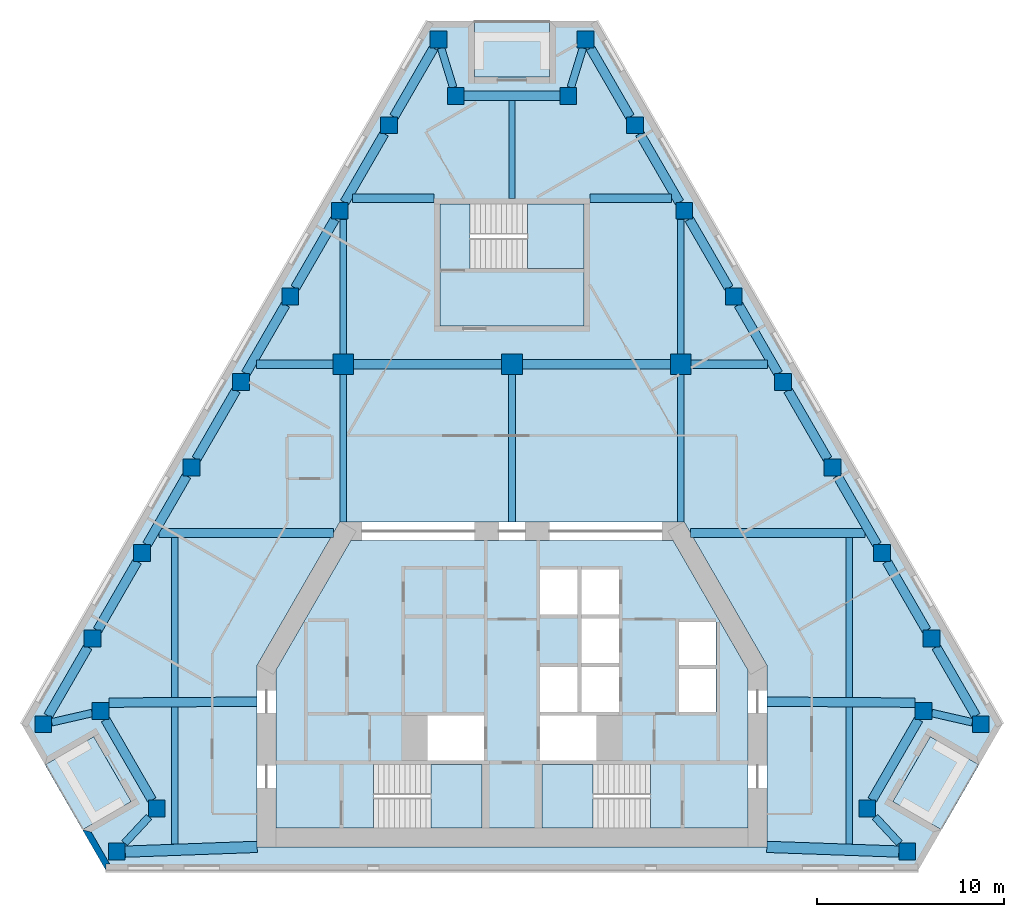
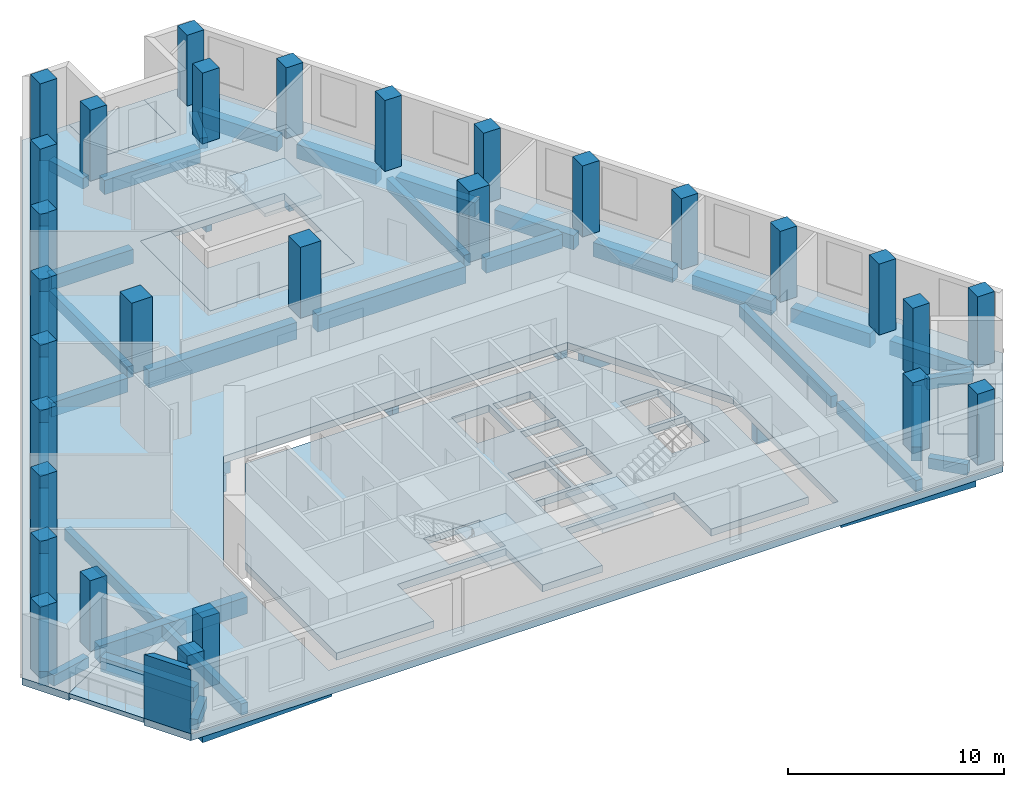
# One storey, part 1 of 7: 47 beams, 29 columns, 9 slabs, 1 wall, 3 elements without a shape of their own.
"""IFC4 building model written with IfcOpenShell, lengths in metres."""

from ifc_helpers import new_model, si_unit, direction, frame, origin, origin_2d, place, context, subcontext, project, spatial, polyline, rectangle, outline, extrude, material, layer, layer_set, material_profile, profile_set, type_object, element, aggregate, save


model = new_model("IFC4")

# Units and contexts
model_context = context("Model", 3, precision=1e-05, world=origin(), true_north=direction((0.0, 1.0)))
body_context = subcontext(model_context, "Body", "Model", "MODEL_VIEW")
ifc_project = project(units=[si_unit("LENGTHUNIT", "METRE"), si_unit("AREAUNIT", "SQUARE_METRE"), si_unit("VOLUMEUNIT", "CUBIC_METRE"), si_unit("PLANEANGLEUNIT", "RADIAN"), si_unit("MASSUNIT", "GRAM", prefix="KILO")], contexts=[model_context])

# Site, building, storey
site_placement = place(None, origin())
site = spatial("IfcSite", under=ifc_project, at=site_placement, CompositionType="ELEMENT")
building_placement = place(site_placement, origin())
building = spatial("IfcBuilding", under=site, at=building_placement, Name="Fogline Exchange Tower", CompositionType="ELEMENT")
storey_placement = place(building_placement, frame((0.0, 0.0, 255.5)))
storey = spatial("IfcBuildingStorey", under=building, at=storey_placement, Name="L58", CompositionType="ELEMENT", Elevation=255.5)

# Columns
ifc_material_1 = material(Name="Concrete C60", Category="concrete")
ifc_material_profile_1 = material_profile(ifc_material_1, rectangle(XDim=1.10009765625, YDim=1.10009765625, at=origin_2d()), Name="RC 1100x1100")
ifc_profile_set_1 = profile_set([ifc_material_profile_1], Name="Concrete C60")
column_type_1 = type_object("IfcColumnType", Name="C05", PredefinedType="COLUMN", material=ifc_profile_set_1)
for number, where, z_axis, x_axis, name in (
    (1, (-9.0, 27.0, 0.0), (0.0, 0.0, 1.0), (1.0, 0.0, 0.0), "IC--9-27"),
    (2, (0.0, 27.0, 0.0), (0.0, 0.0, 1.0), (1.0, 0.0, 0.0), "IC-0-27"),
    (3, (9.0, 27.0, 0.0), (0.0, 0.0, 1.0), (1.0, 0.0, 0.0), "IC-9-27"),
):
    element("IfcColumn", number, at=place(storey_placement, frame(where, z_axis=z_axis, x_axis=x_axis)), inside=storey, type_object=column_type_1, Name=name, PredefinedType="COLUMN", context=body_context, shape_type="SweptSolid", body=[
        extrude(rectangle(XDim=1.10009765625, YDim=1.10009765625, at=origin_2d()), origin(), (0.0, 0.0, 1.0), 4.0),
    ])
ifc_material_profile_2 = material_profile(ifc_material_1, rectangle(XDim=0.89990234375, YDim=0.89990234375, at=origin_2d()), Name="RC 900x900")
ifc_profile_set_2 = profile_set([ifc_material_profile_2], Name="Concrete C60")
column_type_2 = type_object("IfcColumnType", Name="C06", PredefinedType="COLUMN", material=ifc_profile_set_2)
for number, where, z_axis, x_axis, name in (
    (4, (-25.0146484375, 7.794189453125, 0.0), (0.0, 0.0, 1.0), (1.0, 0.0, 0.0), "SW-a"),
    (5, (-21.955322265625, 8.4951171875, 0.0), (0.0, 0.0, 1.0), (1.0, 0.0, 0.0), "SW-p4"),
    (6, (-18.955322265625, 3.299072265625, 0.0), (0.0, 0.0, 1.0), (1.0, 0.0, 0.0), "SW-p3"),
    (7, (-21.092041015625, 1.0, 0.0), (0.0, 0.0, 1.0), (1.0, 0.0, 0.0), "SW-b"),
    (8, (21.092041015625, 1.0, 0.0), (0.0, 0.0, 1.0), (1.0, 0.0, 0.0), "SE-a"),
    (9, (18.955322265625, 3.299072265625, 0.0), (0.0, 0.0, 1.0), (1.0, 0.0, 0.0), "SE-p4"),
    (10, (21.955322265625, 8.4951171875, 0.0), (0.0, 0.0, 1.0), (1.0, 0.0, 0.0), "SE-p3"),
    (11, (25.0146484375, 7.794189453125, 0.0), (0.0, 0.0, 1.0), (1.0, 0.0, 0.0), "SE-b"),
    (12, (22.378173828125, 12.36083984375, 0.0), (0.0, 0.0, 1.0), (1.0, 0.0, 0.0), "E1"),
    (13, (19.74169921875, 16.92724609375, 0.0), (0.0, 0.0, 1.0), (1.0, 0.0, 0.0), "E2"),
    (14, (17.105224609375, 21.493896484375, 0.0), (0.0, 0.0, 1.0), (1.0, 0.0, 0.0), "E3"),
    (15, (14.46875, 26.060302734375, 0.0), (0.0, 0.0, 1.0), (1.0, 0.0, 0.0), "E4"),
    (16, (11.832275390625, 30.626953125, 0.0), (0.0, 0.0, 1.0), (1.0, 0.0, 0.0), "E5"),
    (17, (9.19580078125, 35.193603515625, 0.0), (0.0, 0.0, 1.0), (1.0, 0.0, 0.0), "E6"),
    (18, (6.55908203125, 39.760009765625, 0.0), (0.0, 0.0, 1.0), (1.0, 0.0, 0.0), "E7"),
    (19, (3.922607421875, 44.32666015625, 0.0), (0.0, 0.0, 1.0), (1.0, 0.0, 0.0), "N-a"),
    (20, (3.0, 41.32666015625, 0.0), (0.0, 0.0, 1.0), (1.0, 0.0, 0.0), "N-p4"),
    (21, (-3.0, 41.32666015625, 0.0), (0.0, 0.0, 1.0), (1.0, 0.0, 0.0), "N-p3"),
    (22, (-3.922607421875, 44.32666015625, 0.0), (0.0, 0.0, 1.0), (1.0, 0.0, 0.0), "N-b"),
    (23, (-6.55908203125, 39.760009765625, 0.0), (0.0, 0.0, 1.0), (1.0, 0.0, 0.0), "W1"),
    (24, (-9.19580078125, 35.193603515625, 0.0), (0.0, 0.0, 1.0), (1.0, 0.0, 0.0), "W2"),
    (25, (-11.832275390625, 30.626953125, 0.0), (0.0, 0.0, 1.0), (1.0, 0.0, 0.0), "W3"),
    (26, (-14.46875, 26.060302734375, 0.0), (0.0, 0.0, 1.0), (1.0, 0.0, 0.0), "W4"),
    (27, (-17.105224609375, 21.493896484375, 0.0), (0.0, 0.0, 1.0), (1.0, 0.0, 0.0), "W5"),
    (28, (-19.74169921875, 16.92724609375, 0.0), (0.0, 0.0, 1.0), (1.0, 0.0, 0.0), "W6"),
    (29, (-22.378173828125, 12.36083984375, 0.0), (0.0, 0.0, 1.0), (1.0, 0.0, 0.0), "W7"),
):
    element("IfcColumn", number, at=place(storey_placement, frame(where, z_axis=z_axis, x_axis=x_axis)), inside=storey, type_object=column_type_2, Name=name, PredefinedType="COLUMN", context=body_context, shape_type="SweptSolid", body=[
        extrude(rectangle(XDim=0.89990234375, YDim=0.89990234375, at=origin_2d()), origin(), (0.0, 0.0, 1.0), 4.0),
    ])

# Beams
ifc_material_2 = material(Name="Concrete C40", Category="concrete")
ifc_material_profile_3 = material_profile(ifc_material_2, rectangle(XDim=0.300048828125, YDim=0.60009765625, at=origin_2d()), Name="RC 300x600")
ifc_profile_set_3 = profile_set([ifc_material_profile_3], Name="Concrete C40")
beam_type_1 = type_object("IfcBeamType", Name="B06", PredefinedType="BEAM", material=ifc_profile_set_3)
beam_1_placement = place(storey_placement, frame((0.0, 35.85693359375, -0.699951171875), z_axis=(0.0, 1.0, 0.0), x_axis=(-1.0, 0.0, 0.0)))
element("IfcBeam", 30, at=beam_1_placement, inside=storey, type_object=beam_type_1, Name="SB006", PredefinedType="BEAM", context=body_context, shape_type="SweptSolid", body=[
    extrude(rectangle(XDim=0.300048828125, YDim=0.60009765625, at=origin_2d()), origin(), (0.0, 0.0, 1.0), 5.2197265625),
])
ifc_material_profile_4 = material_profile(ifc_material_2, rectangle(XDim=0.60009765625, YDim=0.89990234375, at=origin_2d()), Name="RC 600x900")
ifc_profile_set_4 = profile_set([ifc_material_profile_4], Name="Concrete C40")
beam_type_2 = type_object("IfcBeamType", Name="B09", PredefinedType="BEAM", material=ifc_profile_set_4)
beam_2_placement = place(storey_placement, frame((-20.64208984375, 0.99462890625, -0.85009765625), z_axis=(0.999343107492, 0.036240219472, 0.0), x_axis=(-0.036240219472, 0.999343107492, 0.0)))
element("IfcBeam", 31, at=beam_2_placement, inside=storey, type_object=beam_type_2, Name="RB004", PredefinedType="BEAM", context=body_context, shape_type="SweptSolid", body=[
    extrude(rectangle(XDim=0.60009765625, YDim=0.89990234375, at=origin_2d()), origin(), (0.0, 0.0, 1.0), 7.046630859375),
])
beam_3_placement = place(storey_placement, frame((13.60009765625, 1.25, -0.85009765625), z_axis=(0.99937042328, -0.035478966629, 0.0), x_axis=(0.035478966629, 0.99937042328, 0.0)))
element("IfcBeam", 32, at=beam_3_placement, inside=storey, type_object=beam_type_2, Name="RB005", PredefinedType="BEAM", context=body_context, shape_type="SweptSolid", body=[
    extrude(rectangle(XDim=0.60009765625, YDim=0.89990234375, at=origin_2d()), origin(), (0.0, 0.0, 1.0), 7.04638671875),
])
ifc_material_profile_5 = material_profile(ifc_material_2, rectangle(XDim=0.5, YDim=0.800048828125, at=origin_2d()), Name="RC 500x800")
ifc_profile_set_5 = profile_set([ifc_material_profile_5], Name="Concrete C40")
beam_type_3 = type_object("IfcBeamType", Name="B10", PredefinedType="BEAM", material=ifc_profile_set_5)
for number, where, z_axis, x_axis, name in (
    (33, (-21.6953125, 8.045166015625, -0.800048828125), (0.499976646485, -0.866038886523, 0.0), (0.866038886523, 0.499976646485, 0.0), "RB002"),
    (34, (19.215087890625, 3.7490234375, -0.800048828125), (0.499976646485, 0.866038886523, 0.0), (-0.866038886523, 0.499976646485, 0.0), "RB007"),
):
    element("IfcBeam", number, at=place(storey_placement, frame(where, z_axis=z_axis, x_axis=x_axis)), inside=storey, type_object=beam_type_3, Name=name, PredefinedType="BEAM", context=body_context, shape_type="SweptSolid", body=[
        extrude(rectangle(XDim=0.5, YDim=0.800048828125, at=origin_2d()), origin(), (0.0, 0.0, 1.0), 4.960693359375),
    ])
beam_4_placement = place(storey_placement, frame((24.7548828125, 8.244140625, -0.800048828125), z_axis=(-0.499990325971, 0.866030989016, 0.0), x_axis=(-0.866030989016, -0.499990325971, 0.0)))
element("IfcBeam", 35, at=beam_4_placement, inside=storey, type_object=beam_type_3, Name="RB009", PredefinedType="BEAM", context=body_context, shape_type="SweptSolid", body=[
    extrude(rectangle(XDim=0.5, YDim=0.800048828125, at=origin_2d()), origin(), (0.0, 0.0, 1.0), 4.23388671875),
])
beam_5_placement = place(storey_placement, frame((22.118408203125, 12.810791015625, -0.800048828125), z_axis=(-0.500015295222, 0.866016572904, 0.0), x_axis=(-0.866016572904, -0.500015295222, 0.0)))
element("IfcBeam", 36, at=beam_5_placement, inside=storey, type_object=beam_type_3, Name="RB010", PredefinedType="BEAM", context=body_context, shape_type="SweptSolid", body=[
    extrude(rectangle(XDim=0.5, YDim=0.800048828125, at=origin_2d()), origin(), (0.0, 0.0, 1.0), 4.233642578125),
])
beam_6_placement = place(storey_placement, frame((19.481689453125, 17.377197265625, -0.800048828125), z_axis=(-0.499947076772, 0.866055956868, 0.0), x_axis=(-0.866055956868, -0.499947076772, 0.0)))
element("IfcBeam", 37, at=beam_6_placement, inside=storey, type_object=beam_type_3, Name="RB011", PredefinedType="BEAM", context=body_context, shape_type="SweptSolid", body=[
    extrude(rectangle(XDim=0.5, YDim=0.800048828125, at=origin_2d()), origin(), (0.0, 0.0, 1.0), 4.23388671875),
])
for number, where, z_axis, x_axis, name in (
    (38, (16.84521484375, 21.94384765625, -0.800048828125), (-0.499972045304, 0.866041542834, 0.0), (-0.866041542834, -0.499972045304, 0.0), "RB012"),
    (39, (14.208740234375, 26.510498046875, -0.800048828125), (-0.499972045304, 0.866041542834, 0.0), (-0.866041542834, -0.499972045304, 0.0), "RB013"),
    (40, (11.572265625, 31.076904296875, -0.800048828125), (-0.499972045304, 0.866041542834, 0.0), (-0.866041542834, -0.499972045304, 0.0), "RB014"),
    (41, (8.935791015625, 35.6435546875, -0.800048828125), (-0.499972045304, 0.866041542834, 0.0), (-0.866041542834, -0.499972045304, 0.0), "RB015"),
    (42, (6.29931640625, 40.210205078125, -0.800048828125), (-0.499972045304, 0.866041542834, 0.0), (-0.866041542834, -0.499972045304, 0.0), "RB016"),
):
    element("IfcBeam", number, at=place(storey_placement, frame(where, z_axis=z_axis, x_axis=x_axis)), inside=storey, type_object=beam_type_3, Name=name, PredefinedType="BEAM", context=body_context, shape_type="SweptSolid", body=[
        extrude(rectangle(XDim=0.5, YDim=0.800048828125, at=origin_2d()), origin(), (0.0, 0.0, 1.0), 4.233642578125),
    ])
beam_7_placement = place(storey_placement, frame((2.550048828125, 41.32666015625, -0.800048828125), z_axis=(-1.0, 0.0, 0.0), x_axis=(0.0, -1.0, 0.0)))
element("IfcBeam", 43, at=beam_7_placement, inside=storey, type_object=beam_type_3, Name="RB018", PredefinedType="BEAM", context=body_context, shape_type="SweptSolid", body=[
    extrude(rectangle(XDim=0.5, YDim=0.800048828125, at=origin_2d()), origin(), (0.0, 0.0, 1.0), 5.10009765625),
])
for number, where, z_axis, x_axis, name in (
    (44, (-4.1826171875, 43.876708984375, -0.800048828125), (-0.499972045304, -0.866041542834, 0.0), (0.866041542834, -0.499972045304, 0.0), "RB020"),
    (45, (-6.819091796875, 39.31005859375, -0.800048828125), (-0.499972045304, -0.866041542834, 0.0), (0.866041542834, -0.499972045304, 0.0), "RB021"),
    (46, (-9.45556640625, 34.743408203125, -0.800048828125), (-0.499972045304, -0.866041542834, 0.0), (0.866041542834, -0.499972045304, 0.0), "RB022"),
    (47, (-12.092041015625, 30.177001953125, -0.800048828125), (-0.499972045304, -0.866041542834, 0.0), (0.866041542834, -0.499972045304, 0.0), "RB023"),
    (48, (-14.728515625, 25.6103515625, -0.800048828125), (-0.499972045304, -0.866041542834, 0.0), (0.866041542834, -0.499972045304, 0.0), "RB024"),
):
    element("IfcBeam", number, at=place(storey_placement, frame(where, z_axis=z_axis, x_axis=x_axis)), inside=storey, type_object=beam_type_3, Name=name, PredefinedType="BEAM", context=body_context, shape_type="SweptSolid", body=[
        extrude(rectangle(XDim=0.5, YDim=0.800048828125, at=origin_2d()), origin(), (0.0, 0.0, 1.0), 4.233642578125),
    ])
beam_8_placement = place(storey_placement, frame((-17.364990234375, 21.0439453125, -0.800048828125), z_axis=(-0.499947076772, -0.866055956868, 0.0), x_axis=(0.866055956868, -0.499947076772, 0.0)))
element("IfcBeam", 49, at=beam_8_placement, inside=storey, type_object=beam_type_3, Name="RB025", PredefinedType="BEAM", context=body_context, shape_type="SweptSolid", body=[
    extrude(rectangle(XDim=0.5, YDim=0.800048828125, at=origin_2d()), origin(), (0.0, 0.0, 1.0), 4.23388671875),
])
beam_9_placement = place(storey_placement, frame((-20.00146484375, 16.477294921875, -0.800048828125), z_axis=(-0.500015295222, -0.866016572904, 0.0), x_axis=(0.866016572904, -0.500015295222, 0.0)))
element("IfcBeam", 50, at=beam_9_placement, inside=storey, type_object=beam_type_3, Name="RB026", PredefinedType="BEAM", context=body_context, shape_type="SweptSolid", body=[
    extrude(rectangle(XDim=0.5, YDim=0.800048828125, at=origin_2d()), origin(), (0.0, 0.0, 1.0), 4.233642578125),
])
beam_10_placement = place(storey_placement, frame((-22.637939453125, 11.910888671875, -0.800048828125), z_axis=(-0.499990325971, -0.866030989016, 0.0), x_axis=(0.866030989016, -0.499990325971, 0.0)))
element("IfcBeam", 51, at=beam_10_placement, inside=storey, type_object=beam_type_3, Name="RB027", PredefinedType="BEAM", context=body_context, shape_type="SweptSolid", body=[
    extrude(rectangle(XDim=0.5, YDim=0.800048828125, at=origin_2d()), origin(), (0.0, 0.0, 1.0), 4.23388671875),
])
ifc_material_profile_6 = material_profile(ifc_material_2, rectangle(XDim=0.39990234375, YDim=0.60009765625, at=origin_2d()), Name="RC 400x600")
ifc_profile_set_6 = profile_set([ifc_material_profile_6], Name="Concrete C40")
beam_type_4 = type_object("IfcBeamType", Name="B11", PredefinedType="BEAM", material=ifc_profile_set_6)
beam_11_placement = place(storey_placement, frame((-24.564697265625, 7.897216796875, -0.699951171875), z_axis=(0.974731818643, 0.223378337636, 0.0), x_axis=(-0.223378337636, 0.974731818643, 0.0)))
element("IfcBeam", 52, at=beam_11_placement, inside=storey, type_object=beam_type_4, Name="RB001", PredefinedType="BEAM", context=body_context, shape_type="SweptSolid", body=[
    extrude(rectangle(XDim=0.39990234375, YDim=0.60009765625, at=origin_2d()), origin(), (0.0, 0.0, 1.0), 2.21533203125),
])
for number, where, z_axis, x_axis, name in (
    (53, (-19.37353515625, 2.84912109375, -0.699951171875), (-0.68075009804, -0.732515736362, 0.0), (0.732515736362, -0.68075009804, 0.0), "RB003"),
    (54, (20.673828125, 1.449951171875, -0.699951171875), (-0.68075009804, 0.732515736362, 0.0), (-0.732515736362, -0.68075009804, 0.0), "RB006"),
):
    element("IfcBeam", number, at=place(storey_placement, frame(where, z_axis=z_axis, x_axis=x_axis)), inside=storey, type_object=beam_type_4, Name=name, PredefinedType="BEAM", context=body_context, shape_type="SweptSolid", body=[
        extrude(rectangle(XDim=0.39990234375, YDim=0.60009765625, at=origin_2d()), origin(), (0.0, 0.0, 1.0), 1.91015625),
    ])
beam_12_placement = place(storey_placement, frame((22.4052734375, 8.39208984375, -0.699951171875), z_axis=(0.974731818643, -0.223378337636, 0.0), x_axis=(0.223378337636, 0.974731818643, 0.0)))
element("IfcBeam", 55, at=beam_12_placement, inside=storey, type_object=beam_type_4, Name="RB008", PredefinedType="BEAM", context=body_context, shape_type="SweptSolid", body=[
    extrude(rectangle(XDim=0.39990234375, YDim=0.60009765625, at=origin_2d()), origin(), (0.0, 0.0, 1.0), 2.21533203125),
])
for number, where, z_axis, x_axis, name in (
    (56, (3.7841796875, 43.876708984375, -0.699951171875), (-0.293906253456, -0.95583425037, 0.0), (0.95583425037, -0.293906253456, 0.0), "RB017"),
    (57, (-3.138427734375, 41.776611328125, -0.699951171875), (-0.293906253456, 0.95583425037, 0.0), (-0.95583425037, -0.293906253456, 0.0), "RB019"),
):
    element("IfcBeam", number, at=place(storey_placement, frame(where, z_axis=z_axis, x_axis=x_axis)), inside=storey, type_object=beam_type_4, Name=name, PredefinedType="BEAM", context=body_context, shape_type="SweptSolid", body=[
        extrude(rectangle(XDim=0.39990234375, YDim=0.60009765625, at=origin_2d()), origin(), (0.0, 0.0, 1.0), 2.197021484375),
    ])
ifc_material_profile_7 = material_profile(ifc_material_2, rectangle(XDim=0.5, YDim=0.949951171875, at=origin_2d()), Name="RC 500x950")
ifc_profile_set_7 = profile_set([ifc_material_profile_7], Name="Concrete C40")
beam_type_5 = type_object("IfcBeamType", Name="B14", PredefinedType="BEAM", material=ifc_profile_set_7)
for number, where, z_axis, x_axis, name in (
    (58, (-21.50537109375, 8.9453125, -0.875), (0.999976072531, 0.006917684998, 0.0), (-0.006917684998, 0.999976072531, 0.0), "GB001"),
    (59, (13.60009765625, 9.0, -0.875), (0.999976072531, -0.006917684998, 0.0), (0.006917684998, 0.999976072531, 0.0), "GB002"),
):
    element("IfcBeam", number, at=place(storey_placement, frame(where, z_axis=z_axis, x_axis=x_axis)), inside=storey, type_object=beam_type_5, Name=name, PredefinedType="BEAM", context=body_context, shape_type="SweptSolid", body=[
        extrude(rectangle(XDim=0.5, YDim=0.949951171875, at=origin_2d()), origin(), (0.0, 0.0, 1.0), 7.905517578125),
    ])
for number, where, z_axis, x_axis, name in (
    (60, (-18.833740234375, 18.0, -0.875), (1.0, 0.0, 0.0), (0.0, 1.0, 0.0), "GB003"),
    (61, (9.527099609375, 18.0, -0.875), (1.0, 0.0, 0.0), (0.0, 1.0, 0.0), "GB004"),
):
    element("IfcBeam", number, at=place(storey_placement, frame(where, z_axis=z_axis, x_axis=x_axis)), inside=storey, type_object=beam_type_5, Name=name, PredefinedType="BEAM", context=body_context, shape_type="SweptSolid", body=[
        extrude(rectangle(XDim=0.5, YDim=0.949951171875, at=origin_2d()), origin(), (0.0, 0.0, 1.0), 9.306640625),
    ])
for number, where, z_axis, x_axis, name in (
    (62, (-8.449951171875, 27.0, -0.875), (1.0, 0.0, 0.0), (0.0, 1.0, 0.0), "GB006"),
    (63, (0.550048828125, 27.0, -0.875), (1.0, 0.0, 0.0), (0.0, 1.0, 0.0), "GB007"),
):
    element("IfcBeam", number, at=place(storey_placement, frame(where, z_axis=z_axis, x_axis=x_axis)), inside=storey, type_object=beam_type_5, Name=name, PredefinedType="BEAM", context=body_context, shape_type="SweptSolid", body=[
        extrude(rectangle(XDim=0.5, YDim=0.949951171875, at=origin_2d()), origin(), (0.0, 0.0, 1.0), 7.89990234375),
    ])
ifc_material_profile_8 = material_profile(ifc_material_2, rectangle(XDim=0.35009765625, YDim=0.64990234375, at=origin_2d()), Name="RC 350x650")
ifc_profile_set_8 = profile_set([ifc_material_profile_8], Name="Concrete C40")
beam_type_6 = type_object("IfcBeamType", Name="B16", PredefinedType="BEAM", material=ifc_profile_set_8)
beam_13_placement = place(storey_placement, frame((-18.0, 1.390625, -0.72509765625), z_axis=(0.0, 1.0, 0.0), x_axis=(-1.0, 0.0, 0.0)))
element("IfcBeam", 64, at=beam_13_placement, inside=storey, type_object=beam_type_6, Name="SB001", PredefinedType="BEAM", context=body_context, shape_type="SweptSolid", body=[
    extrude(rectangle(XDim=0.35009765625, YDim=0.64990234375, at=origin_2d()), origin(), (0.0, 0.0, 1.0), 7.328857421875),
])
beam_14_placement = place(storey_placement, frame((-18.0, 9.219482421875, -0.72509765625), z_axis=(0.0, 1.0, 0.0), x_axis=(-1.0, 0.0, 0.0)))
element("IfcBeam", 65, at=beam_14_placement, inside=storey, type_object=beam_type_6, Name="SB002", PredefinedType="BEAM", context=body_context, shape_type="SweptSolid", body=[
    extrude(rectangle(XDim=0.35009765625, YDim=0.64990234375, at=origin_2d()), origin(), (0.0, 0.0, 1.0), 8.530517578125),
])
beam_15_placement = place(storey_placement, frame((-9.0, 18.60009765625, -0.72509765625), z_axis=(0.0, 1.0, 0.0), x_axis=(-1.0, 0.0, 0.0)))
element("IfcBeam", 66, at=beam_15_placement, inside=storey, type_object=beam_type_6, Name="SB003", PredefinedType="BEAM", context=body_context, shape_type="SweptSolid", body=[
    extrude(rectangle(XDim=0.35009765625, YDim=0.64990234375, at=origin_2d()), origin(), (0.0, 0.0, 1.0), 7.849853515625),
])
beam_16_placement = place(storey_placement, frame((-9.0, 27.550048828125, -0.72509765625), z_axis=(0.0, 1.0, 0.0), x_axis=(-1.0, 0.0, 0.0)))
element("IfcBeam", 67, at=beam_16_placement, inside=storey, type_object=beam_type_6, Name="SB004", PredefinedType="BEAM", context=body_context, shape_type="SweptSolid", body=[
    extrude(rectangle(XDim=0.35009765625, YDim=0.64990234375, at=origin_2d()), origin(), (0.0, 0.0, 1.0), 7.193359375),
])
for number, where, z_axis, x_axis, name in (
    (68, (0.0, 18.60009765625, -0.72509765625), (0.0, 1.0, 0.0), (-1.0, 0.0, 0.0), "SB005"),
    (69, (9.0, 18.60009765625, -0.72509765625), (0.0, 1.0, 0.0), (-1.0, 0.0, 0.0), "SB007"),
):
    element("IfcBeam", number, at=place(storey_placement, frame(where, z_axis=z_axis, x_axis=x_axis)), inside=storey, type_object=beam_type_6, Name=name, PredefinedType="BEAM", context=body_context, shape_type="SweptSolid", body=[
        extrude(rectangle(XDim=0.35009765625, YDim=0.64990234375, at=origin_2d()), origin(), (0.0, 0.0, 1.0), 7.849853515625),
    ])
beam_17_placement = place(storey_placement, frame((9.0, 27.550048828125, -0.72509765625), z_axis=(0.0, 1.0, 0.0), x_axis=(-1.0, 0.0, 0.0)))
element("IfcBeam", 70, at=beam_17_placement, inside=storey, type_object=beam_type_6, Name="SB008", PredefinedType="BEAM", context=body_context, shape_type="SweptSolid", body=[
    extrude(rectangle(XDim=0.35009765625, YDim=0.64990234375, at=origin_2d()), origin(), (0.0, 0.0, 1.0), 7.193359375),
])
beam_18_placement = place(storey_placement, frame((18.0, 1.39404296875, -0.72509765625), z_axis=(0.0, 1.0, 0.0), x_axis=(-1.0, 0.0, 0.0)))
element("IfcBeam", 71, at=beam_18_placement, inside=storey, type_object=beam_type_6, Name="SB009", PredefinedType="BEAM", context=body_context, shape_type="SweptSolid", body=[
    extrude(rectangle(XDim=0.35009765625, YDim=0.64990234375, at=origin_2d()), origin(), (0.0, 0.0, 1.0), 7.325439453125),
])
beam_19_placement = place(storey_placement, frame((18.0, 9.219482421875, -0.72509765625), z_axis=(0.0, 1.0, 0.0), x_axis=(-1.0, 0.0, 0.0)))
element("IfcBeam", 72, at=beam_19_placement, inside=storey, type_object=beam_type_6, Name="SB010", PredefinedType="BEAM", context=body_context, shape_type="SweptSolid", body=[
    extrude(rectangle(XDim=0.35009765625, YDim=0.64990234375, at=origin_2d()), origin(), (0.0, 0.0, 1.0), 8.530517578125),
])
ifc_material_profile_9 = material_profile(ifc_material_2, rectangle(XDim=0.449951171875, YDim=0.800048828125, at=origin_2d()), Name="RC 450x800")
ifc_profile_set_9 = profile_set([ifc_material_profile_9], Name="Concrete C40")
beam_type_7 = type_object("IfcBeamType", Name="B18", PredefinedType="BEAM", material=ifc_profile_set_9)
for number, where, z_axis, x_axis, name in (
    (73, (-13.637451171875, 27.0, -0.800048828125), (1.0, 0.0, 0.0), (0.0, 1.0, 0.0), "GB005"),
    (74, (9.550048828125, 27.0, -0.800048828125), (1.0, 0.0, 0.0), (0.0, 1.0, 0.0), "GB008"),
):
    element("IfcBeam", number, at=place(storey_placement, frame(where, z_axis=z_axis, x_axis=x_axis)), inside=storey, type_object=beam_type_7, Name=name, PredefinedType="BEAM", context=body_context, shape_type="SweptSolid", body=[
        extrude(rectangle(XDim=0.449951171875, YDim=0.800048828125, at=origin_2d()), origin(), (0.0, 0.0, 1.0), 4.08740234375),
    ])
for number, where, z_axis, x_axis, name in (
    (75, (-8.52392578125, 35.85693359375, -0.800048828125), (1.0, 0.0, 0.0), (0.0, 1.0, 0.0), "GB009"),
    (76, (4.14990234375, 35.85693359375, -0.800048828125), (1.0, 0.0, 0.0), (0.0, 1.0, 0.0), "GB010"),
):
    element("IfcBeam", number, at=place(storey_placement, frame(where, z_axis=z_axis, x_axis=x_axis)), inside=storey, type_object=beam_type_7, Name=name, PredefinedType="BEAM", context=body_context, shape_type="SweptSolid", body=[
        extrude(rectangle(XDim=0.449951171875, YDim=0.800048828125, at=origin_2d()), origin(), (0.0, 0.0, 1.0), 4.3740234375),
    ])

# Slabs
ifc_layer_1 = layer(ifc_material_2, 0.25)
ifc_layer_set_1 = layer_set([ifc_layer_1], Name="DK1")
slab_type_1 = type_object("IfcSlabType", Name="DK1", PredefinedType="FLOOR", material=ifc_layer_set_1)
slab_1_placement = place(storey_placement, frame((0.0, 0.0, -0.25)))
element("IfcSlab", 77, at=slab_1_placement, inside=storey, type_object=slab_type_1, Name="Balcony L58 SW", PredefinedType="FLOOR", context=body_context, shape_type="SweptSolid", body=[
    extrude(outline(polyline([(-24.91943359375, 5.629150390625), (-22.91943359375, 2.1650390625), (-20.3212890625, 3.6650390625), (-22.3212890625, 7.129150390625), (-24.91943359375, 5.629150390625)])), origin(), (0.0, 0.0, 1.0), 0.25),
])
slab_2_placement = place(storey_placement, frame((0.0, 0.0, -0.25)))
element("IfcSlab", 78, at=slab_2_placement, inside=storey, type_object=slab_type_1, Name="Balcony L58 SE", PredefinedType="FLOOR", context=body_context, shape_type="SweptSolid", body=[
    extrude(outline(polyline([(22.91943359375, 2.1650390625), (24.91943359375, 5.629150390625), (22.3212890625, 7.129150390625), (20.3212890625, 3.6650390625), (22.91943359375, 2.1650390625)])), origin(), (0.0, 0.0, 1.0), 0.25),
])
slab_3_placement = place(storey_placement, frame((0.0, 0.0, -0.25)))
element("IfcSlab", 79, at=slab_3_placement, inside=storey, type_object=slab_type_1, Name="Balcony L58 N", PredefinedType="FLOOR", context=body_context, shape_type="SweptSolid", body=[
    extrude(outline(polyline([(2.0, 45.32666015625), (-2.0, 45.32666015625), (-2.0, 42.32666015625), (2.0, 42.32666015625), (2.0, 45.32666015625)])), origin(), (0.0, 0.0, 1.0), 0.25),
])
ifc_layer_2 = layer(ifc_material_2, 0.39990234375)
ifc_layer_set_2 = layer_set([ifc_layer_2], Name="S03")
slab_type_2 = type_object("IfcSlabType", Name="S03", PredefinedType="FLOOR", material=ifc_layer_set_2)
slab_4_placement = place(storey_placement, frame((0.0, 0.0, -0.39990234375)))
element("IfcSlab", 80, at=slab_4_placement, inside=storey, type_object=slab_type_2, Name="SLAB L58", PredefinedType="FLOOR", context=body_context, shape_type="SweptSolid", body=[
    extrude(outline(polyline([(-2.0, 45.32666015625), (-4.5, 45.32666015625), (-26.16943359375, 7.794189453125), (-24.91943359375, 5.629150390625), (-22.3212890625, 7.129150390625), (-20.3212890625, 3.6650390625), (-22.91943359375, 2.1650390625), (-21.66943359375, 0.0), (21.66943359375, 0.0), (22.91943359375, 2.1650390625), (20.3212890625, 3.6650390625), (22.3212890625, 7.129150390625), (24.91943359375, 5.629150390625), (26.16943359375, 7.794189453125), (4.5, 45.32666015625), (2.0, 45.32666015625), (2.0, 42.32666015625), (-2.0, 42.32666015625), (-2.0, 45.32666015625)]), holes=[polyline([(13.60009765625, 10.9453125), (13.60009765625, 1.25), (-13.60009765625, 1.25), (-13.60009765625, 10.9453125), (-9.1806640625, 18.60009765625), (9.1806640625, 18.60009765625), (13.60009765625, 10.9453125)]), polyline([(3.85009765625, 35.556884765625), (3.85009765625, 29.056884765625), (-3.85009765625, 29.056884765625), (-3.85009765625, 35.556884765625), (3.85009765625, 35.556884765625)])]), origin(), (0.0, 0.0, 1.0), 0.39990234375),
])
slab_5_placement = place(storey_placement, frame((0.0, 0.0, -0.39990234375)))
element("IfcSlab", 81, at=slab_5_placement, inside=storey, type_object=slab_type_2, Name="Core floor slab", PredefinedType="FLOOR", context=body_context, shape_type="SweptSolid", body=[
    extrude(outline(polyline([(-12.60009765625, 2.25), (-12.60009765625, 10.677490234375), (-8.603271484375, 17.60009765625), (8.603271484375, 17.60009765625), (12.60009765625, 10.677490234375), (12.60009765625, 2.25), (7.389892578125, 2.25), (7.389892578125, 5.64990234375), (1.60009765625, 5.64990234375), (1.60009765625, 2.25), (-1.60009765625, 2.25), (-1.60009765625, 5.64990234375), (-7.389892578125, 5.64990234375), (-7.389892578125, 2.25), (-12.60009765625, 2.25)]), holes=[polyline([(-4.5, 8.25), (-4.5, 5.85009765625), (-1.5, 5.85009765625), (-1.5, 8.25), (-4.5, 8.25)]), polyline([(4.5, 8.25), (1.5, 8.25), (1.5, 5.85009765625), (4.5, 5.85009765625), (4.5, 8.25)]), polyline([(3.5, 10.85009765625), (1.5, 10.85009765625), (1.5, 8.449951171875), (3.5, 8.449951171875), (3.5, 10.85009765625)]), polyline([(1.5, 16.050048828125), (1.5, 13.64990234375), (3.5, 13.64990234375), (3.5, 16.050048828125), (1.5, 16.050048828125)]), polyline([(10.89990234375, 10.75), (8.89990234375, 10.75), (8.89990234375, 8.449951171875), (10.89990234375, 8.449951171875), (10.89990234375, 10.75)]), polyline([(5.699951171875, 10.85009765625), (3.699951171875, 10.85009765625), (3.699951171875, 8.449951171875), (5.699951171875, 8.449951171875), (5.699951171875, 10.85009765625)]), polyline([(8.89990234375, 13.25), (8.89990234375, 10.949951171875), (10.89990234375, 10.949951171875), (10.89990234375, 13.25), (8.89990234375, 13.25)]), polyline([(5.699951171875, 13.449951171875), (3.699951171875, 13.449951171875), (3.699951171875, 11.050048828125), (5.699951171875, 11.050048828125), (5.699951171875, 13.449951171875)]), polyline([(5.699951171875, 16.050048828125), (3.699951171875, 16.050048828125), (3.699951171875, 13.64990234375), (5.699951171875, 13.64990234375), (5.699951171875, 16.050048828125)])]), origin(), (0.0, 0.0, 1.0), 0.39990234375),
])
slab_6_placement = place(storey_placement, frame((0.0, 0.0, -0.39990234375)))
element("IfcSlab", 82, at=slab_6_placement, inside=storey, type_object=slab_type_2, Name="Stair enclosure floor slab", PredefinedType="FLOOR", context=body_context, shape_type="SweptSolid", body=[
    extrude(outline(polyline([(3.85009765625, 29.056884765625), (-3.85009765625, 29.056884765625), (-3.85009765625, 35.556884765625), (-2.239990234375, 35.556884765625), (-2.239990234375, 32.10693359375), (3.85009765625, 32.10693359375), (3.85009765625, 29.056884765625)])), origin(), (0.0, 0.0, 1.0), 0.39990234375),
])

# Stair, slab
stair_type = type_object("IfcStairType", Name="STR24-1667", PredefinedType="HALF_TURN_STAIR", material=ifc_material_2)
stair_1_placement = place(storey_placement, origin())
stair_1 = element("IfcStair", 83, at=stair_1_placement, inside=storey, type_object=stair_type, Name="Stair ST1", PredefinedType="HALF_TURN_STAIR")
ifc_layer_3 = layer(ifc_material_2, 0.199951171875)
ifc_layer_set_3 = layer_set([ifc_layer_3], Name="SL200")
slab_type_3 = type_object("IfcSlabType", Name="SL200", PredefinedType="LANDING", material=ifc_layer_set_3)
slab_7_placement = place(storey_placement, frame((0.0, 0.0, 1.800048828125)))
slab_7 = element("IfcSlab", 84, at=slab_7_placement, type_object=slab_type_3, Name="ST1 landing 1", PredefinedType="LANDING", context=body_context, shape_type="SweptSolid", body=[
    extrude(outline(polyline([(-4.320068359375, 2.25), (-1.60009765625, 2.25), (-1.60009765625, 5.64990234375), (-4.320068359375, 5.64990234375), (-4.320068359375, 2.25)])), origin(), (0.0, 0.0, 1.0), 0.199951171875),
])
aggregate(stair_1, [slab_7])

stair_2_placement = place(storey_placement, origin())
stair_2 = element("IfcStair", 85, at=stair_2_placement, inside=storey, type_object=stair_type, Name="Stair ST2", PredefinedType="HALF_TURN_STAIR")
slab_8_placement = place(storey_placement, frame((0.0, 0.0, 1.800048828125)))
slab_8 = element("IfcSlab", 86, at=slab_8_placement, type_object=slab_type_3, Name="ST2 landing 1", PredefinedType="LANDING", context=body_context, shape_type="SweptSolid", body=[
    extrude(outline(polyline([(1.60009765625, 2.25), (4.320068359375, 2.25), (4.320068359375, 5.64990234375), (1.60009765625, 5.64990234375), (1.60009765625, 2.25)])), origin(), (0.0, 0.0, 1.0), 0.199951171875),
])
aggregate(stair_2, [slab_8])

stair_3_placement = place(storey_placement, origin())
stair_3 = element("IfcStair", 87, at=stair_3_placement, inside=storey, type_object=stair_type, Name="Stair ST3", PredefinedType="HALF_TURN_STAIR")
slab_9_placement = place(storey_placement, frame((0.0, 0.0, 1.800048828125)))
slab_9 = element("IfcSlab", 88, at=slab_9_placement, type_object=slab_type_3, Name="ST3 landing 1", PredefinedType="LANDING", context=body_context, shape_type="SweptSolid", body=[
    extrude(outline(polyline([(0.830078125, 32.10693359375), (3.85009765625, 32.10693359375), (3.85009765625, 35.556884765625), (0.830078125, 35.556884765625), (0.830078125, 32.10693359375)])), origin(), (0.0, 0.0, 1.0), 0.199951171875),
])
aggregate(stair_3, [slab_9])

# Wall
ifc_material_3 = material(Name="Brick masonry", Category="masonry")
ifc_layer_4 = layer(ifc_material_3, 0.340087890625)
ifc_layer_set_4 = layer_set([ifc_layer_4], Name="FW1")
wall_type = type_object("IfcWallType", Name="FW1", PredefinedType="SOLIDWALL", material=ifc_layer_set_4)
wall_placement = place(storey_placement, origin())
element("IfcWall", 89, at=wall_placement, inside=storey, type_object=wall_type, Name="Brick wall L58 SW-c2", PredefinedType="SOLIDWALL", context=body_context, shape_type="SweptSolid", body=[
    extrude(outline(polyline([(-21.471923828125, 0.33935546875), (-21.668701171875, 0.33935546875), (-21.668701171875, -0.0009765625), (-21.66943359375, -0.001220703125), (-22.92041015625, 2.165771484375), (-22.920166015625, 2.166015625), (-22.45458984375, 2.041015625), (-21.471923828125, 0.33935546875)])), origin(), (0.0, 0.0, 1.0), 3.60009765625),
])

save(model, "model.ifc")
